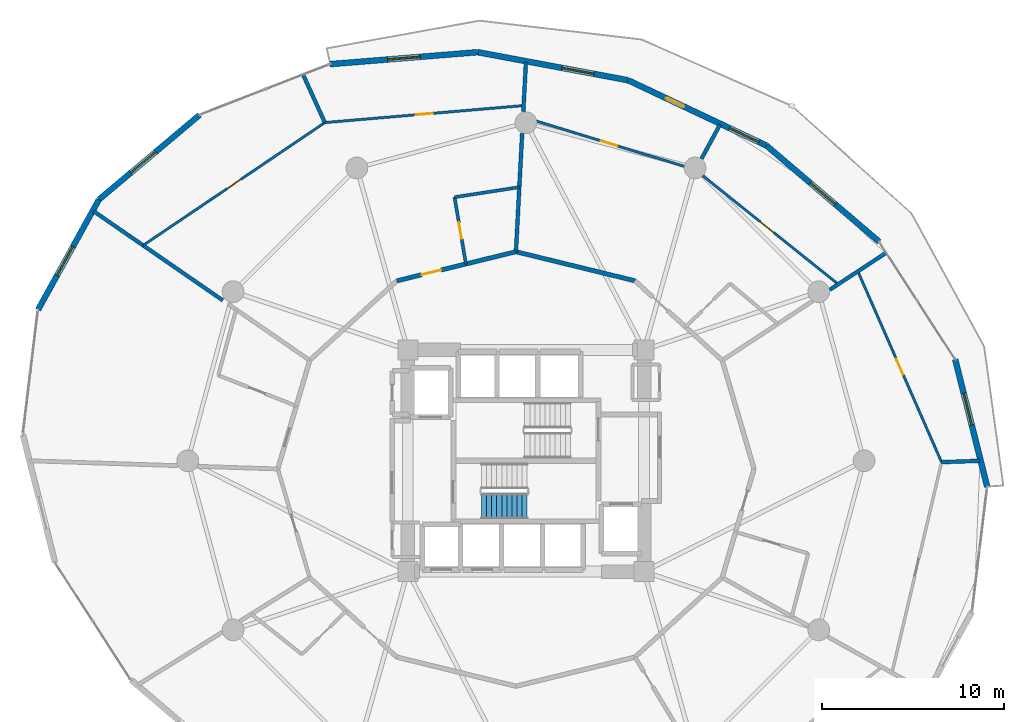
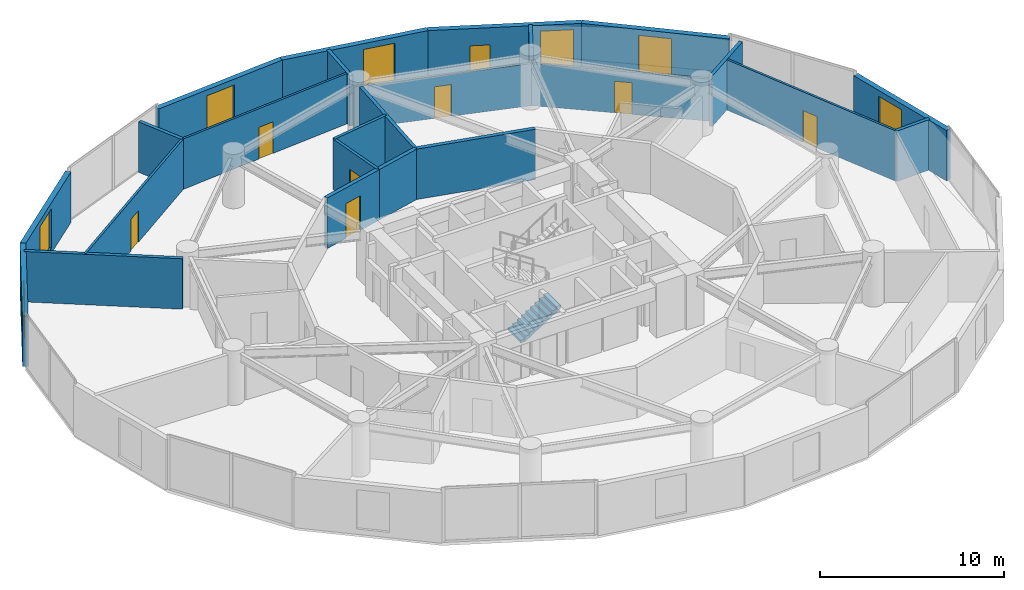
# One storey, part 23 of 26: 24 walls, 8 doors, 7 windows, 1 stair flight, 15 openings, 1 element without a shape of its own.
"""IFC4 building model written with IfcOpenShell, lengths in metres."""

from ifc_helpers import new_model, si_unit, direction, frame, frame_2d, origin, place, context, subcontext, project, spatial, polyline, rectangle, outline, extrude, material, layer, layer_set, type_object, element, fill, aggregate, save


model = new_model("IFC4")

# Units and contexts
model_context = context("Model", 3, precision=1e-05, world=origin(), true_north=direction((0.0, 1.0)))
body_context = subcontext(model_context, "Body", "Model", "MODEL_VIEW")
ifc_project = project(units=[si_unit("LENGTHUNIT", "METRE"), si_unit("AREAUNIT", "SQUARE_METRE"), si_unit("VOLUMEUNIT", "CUBIC_METRE"), si_unit("PLANEANGLEUNIT", "RADIAN"), si_unit("MASSUNIT", "GRAM", prefix="KILO")], contexts=[model_context])

# Site, building, storey
site_placement = place(None, origin())
site = spatial("IfcSite", under=ifc_project, at=site_placement, CompositionType="ELEMENT")
building_placement = place(site_placement, origin())
building = spatial("IfcBuilding", under=site, at=building_placement, Name="Solvirekh Grand Hotel", CompositionType="ELEMENT")
storey_placement = place(building_placement, frame((0.0, 0.0, 68.0)))
storey = spatial("IfcBuildingStorey", under=building, at=storey_placement, Name="L16", CompositionType="ELEMENT", Elevation=68.0)

# Wall, opening, window
ifc_material_1 = material(Name="Precast concrete C45/55", Category="concrete")
ifc_layer_1 = layer(ifc_material_1, 0.320068359375)
ifc_layer_set_1 = layer_set([ifc_layer_1], Name="Precast concrete C45/55")
wall_type_1 = type_object("IfcWallType", Name="ExtLobbyWall_RC320", PredefinedType="SOLIDWALL", material=ifc_layer_set_1)
wall_1_placement = place(storey_placement, frame((23.613037109375, 5.5830078125, 0.0), z_axis=(0.0, 0.0, 1.0), x_axis=(0.243607685094, -0.969873855593, 0.0)))
wall_1 = element("IfcWall", 1, at=wall_1_placement, inside=storey, type_object=wall_type_1, Name="L16 exterior structural wall chord 2", PredefinedType="SOLIDWALL", context=body_context, shape_type="SweptSolid", body=[
    extrude(rectangle(XDim=7.23291015625, YDim=0.320068359375, at=frame_2d((3.616455078125, 0.0))), origin(), (0.0, 0.0, 1.0), 3.340087890625),
])
opening_1_placement = place(wall_1_placement, frame((1.923095703125, 0.0, 0.35009765625)))
opening_1 = element("IfcOpeningElement", 2, at=opening_1_placement, cuts=wall_1, Name="Opening W02", PredefinedType="OPENING", context=body_context, shape_type="SweptSolid", body=[
    extrude(rectangle(XDim=1.800048828125, YDim=2.60009765625, at=frame_2d((0.89990234375, 1.300048828125))), frame((0.0, 0.169921875, 0.0), z_axis=(0.0, -1.0, 0.0), x_axis=(1.0, 0.0, 0.0)), (0.0, 0.0, 1.0), 0.340087890625),
])
ifc_material_2 = material(Name="Low-E Tinted Bronze Laminated Glass", Category="aluminium")
window_type = type_object("IfcWindowType", Name="Win_LobbyExt_1800X2600", PartitioningType="SINGLE_PANEL", PredefinedType="WINDOW", material=ifc_material_2)
window_1_placement = place(opening_1_placement, origin())
window_1 = element("IfcWindow", 3, at=window_1_placement, inside=storey, type_object=window_type, Name="L16 panoramic bronze-framed window 2", OverallHeight=2.60009765625, OverallWidth=1.800048828125, PartitioningType="SINGLE_PANEL", PredefinedType="WINDOW", context=body_context, shape_type="SweptSolid", body=[
    extrude(rectangle(XDim=1.800048828125, YDim=2.60009765625, at=frame_2d((0.89990234375, 1.300048828125))), frame((0.0, 0.030029296875, 0.0), z_axis=(0.0, -1.0, 0.0), x_axis=(1.0, 0.0, 0.0)), (0.0, 0.0, 1.0), 0.06005859375),
])
fill(opening_1, window_1)

wall_2_placement = place(storey_placement, frame((13.22705078125, 17.341064453125, 0.0), z_axis=(0.0, 0.0, 1.0), x_axis=(0.76078130933, -0.649008319958, 0.0)))
wall_2 = element("IfcWall", 4, at=wall_2_placement, inside=storey, type_object=wall_type_1, Name="L16 exterior structural wall chord 4", PredefinedType="SOLIDWALL", context=body_context, shape_type="SweptSolid", body=[
    extrude(rectangle(XDim=8.1494140625, YDim=0.320068359375, at=frame_2d((4.07470703125, 0.0))), origin(), (0.0, 0.0, 1.0), 3.340087890625),
])
opening_2_placement = place(wall_2_placement, frame((3.175048828125, 0.0, 0.35009765625)))
opening_2 = element("IfcOpeningElement", 5, at=opening_2_placement, cuts=wall_2, Name="Opening W02", PredefinedType="OPENING", context=body_context, shape_type="SweptSolid", body=[
    extrude(rectangle(XDim=1.800048828125, YDim=2.60009765625, at=frame_2d((0.89990234375, 1.300048828125))), frame((0.0, 0.169921875, 0.0), z_axis=(0.0, -1.0, 0.0), x_axis=(1.0, 0.0, 0.0)), (0.0, 0.0, 1.0), 0.340087890625),
])
window_2_placement = place(opening_2_placement, origin())
window_2 = element("IfcWindow", 6, at=window_2_placement, inside=storey, type_object=window_type, Name="L16 panoramic bronze-framed window 4", OverallHeight=2.60009765625, OverallWidth=1.800048828125, PartitioningType="SINGLE_PANEL", PredefinedType="WINDOW", context=body_context, shape_type="SweptSolid", body=[
    extrude(rectangle(XDim=1.800048828125, YDim=2.60009765625, at=frame_2d((0.89990234375, 1.300048828125))), frame((0.0, 0.030029296875, 0.0), z_axis=(0.0, -1.0, 0.0), x_axis=(1.0, 0.0, 0.0)), (0.0, 0.0, 1.0), 0.06005859375),
])
fill(opening_2, window_2)

# Wall, openings, door, window
wall_3_placement = place(storey_placement, frame((5.618896484375, 20.93310546875, 0.0), z_axis=(0.0, 0.0, 1.0), x_axis=(0.904280701051, -0.426938419105, 0.0)))
wall_3 = element("IfcWall", 7, at=wall_3_placement, inside=storey, type_object=wall_type_1, Name="L16 exterior structural wall chord 5", PredefinedType="SOLIDWALL", context=body_context, shape_type="SweptSolid", body=[
    extrude(rectangle(XDim=8.41357421875, YDim=0.320068359375, at=frame_2d((4.206787109375, 0.0))), origin(), (0.0, 0.0, 1.0), 3.340087890625),
])
opening_3_placement = place(wall_3_placement, frame((6.1650390625, 0.0, 0.35009765625)))
opening_3 = element("IfcOpeningElement", 8, at=opening_3_placement, cuts=wall_3, Name="Opening W02", PredefinedType="OPENING", context=body_context, shape_type="SweptSolid", body=[
    extrude(rectangle(XDim=1.800048828125, YDim=2.60009765625, at=frame_2d((0.89990234375, 1.300048828125))), frame((0.0, 0.169921875, 0.0), z_axis=(0.0, -1.0, 0.0), x_axis=(1.0, 0.0, 0.0)), (0.0, 0.0, 1.0), 0.340087890625),
])
opening_4_placement = place(wall_3_placement, frame((2.30810546875, 0.0, 0.0)))
opening_4 = element("IfcOpeningElement", 9, at=opening_4_placement, cuts=wall_3, Name="Opening D03", PredefinedType="OPENING", context=body_context, shape_type="SweptSolid", body=[
    extrude(rectangle(XDim=1.10009765625, YDim=2.199951171875, at=frame_2d((0.550048828125, 1.10009765625))), frame((0.0, 0.169921875, 0.0), z_axis=(0.0, -1.0, 0.0), x_axis=(1.0, 0.0, 0.0)), (0.0, 0.0, 1.0), 0.340087890625),
])
ifc_material_3 = material(Name="Anodized Bronze Aluminium 6063-T6", Category="aluminium")
door_type_1 = type_object("IfcDoorType", Name="Door_ExtBalcony_1100X2200", OperationType="NOTDEFINED", PredefinedType="DOOR", material=ifc_material_3)
door_1_placement = place(opening_4_placement, origin())
door_1 = element("IfcDoor", 10, at=door_1_placement, inside=storey, type_object=door_type_1, Name="L16 Crescent balcony glazed door (5)", OperationType="SINGLE_SWING_RIGHT", OverallHeight=2.199951171875, OverallWidth=1.10009765625, PredefinedType="DOOR", context=body_context, shape_type="SweptSolid", body=[
    extrude(rectangle(XDim=1.10009765625, YDim=2.199951171875, at=frame_2d((0.550048828125, 1.10009765625))), frame((0.0, 0.02490234375, 0.0), z_axis=(0.0, -1.0, 0.0), x_axis=(1.0, 0.0, 0.0)), (0.0, 0.0, 1.0), 0.050048828125),
])
fill(opening_4, door_1)
window_3_placement = place(opening_3_placement, origin())
window_3 = element("IfcWindow", 11, at=window_3_placement, inside=storey, type_object=window_type, Name="L16 exterior side window 5", OverallHeight=2.60009765625, OverallWidth=1.800048828125, PartitioningType="SINGLE_PANEL", PredefinedType="WINDOW", context=body_context, shape_type="SweptSolid", body=[
    extrude(rectangle(XDim=1.800048828125, YDim=2.60009765625, at=frame_2d((0.89990234375, 1.300048828125))), frame((0.0, 0.030029296875, 0.0), z_axis=(0.0, -1.0, 0.0), x_axis=(1.0, 0.0, 0.0)), (0.0, 0.0, 1.0), 0.06005859375),
])
fill(opening_3, window_3)

# Wall, opening, window
wall_4_placement = place(storey_placement, frame((-2.65087890625, 22.47509765625, 0.0), z_axis=(0.0, 0.0, 1.0), x_axis=(0.983056664979, -0.183301918815, 0.0)))
wall_4 = element("IfcWall", 12, at=wall_4_placement, inside=storey, type_object=wall_type_1, Name="L16 exterior structural wall chord 6", PredefinedType="SOLIDWALL", context=body_context, shape_type="SweptSolid", body=[
    extrude(rectangle(XDim=8.412353515625, YDim=0.320068359375, at=frame_2d((4.2060546875, 0.0))), origin(), (0.0, 0.0, 1.0), 3.340087890625),
])
opening_5_placement = place(wall_4_placement, frame((4.7080078125, 0.0, 0.35009765625)))
opening_5 = element("IfcOpeningElement", 13, at=opening_5_placement, cuts=wall_4, Name="Opening W02", PredefinedType="OPENING", context=body_context, shape_type="SweptSolid", body=[
    extrude(rectangle(XDim=1.800048828125, YDim=2.60009765625, at=frame_2d((0.89990234375, 1.300048828125))), frame((0.0, 0.169921875, 0.0), z_axis=(0.0, -1.0, 0.0), x_axis=(1.0, 0.0, 0.0)), (0.0, 0.0, 1.0), 0.340087890625),
])
window_4_placement = place(opening_5_placement, origin())
window_4 = element("IfcWindow", 14, at=window_4_placement, inside=storey, type_object=window_type, Name="L16 panoramic bronze-framed window 6", OverallHeight=2.60009765625, OverallWidth=1.800048828125, PartitioningType="SINGLE_PANEL", PredefinedType="WINDOW", context=body_context, shape_type="SweptSolid", body=[
    extrude(rectangle(XDim=1.800048828125, YDim=2.60009765625, at=frame_2d((0.89990234375, 1.300048828125))), frame((0.0, 0.030029296875, 0.0), z_axis=(0.0, -1.0, 0.0), x_axis=(1.0, 0.0, 0.0)), (0.0, 0.0, 1.0), 0.06005859375),
])
fill(opening_5, window_4)

wall_5_placement = place(storey_placement, frame((-10.77392578125, 21.818115234375, 0.0), z_axis=(0.0, 0.0, 1.0), x_axis=(0.996745267641, 0.08061557812, 0.0)))
wall_5 = element("IfcWall", 15, at=wall_5_placement, inside=storey, type_object=wall_type_1, Name="L16 exterior structural wall chord 7", PredefinedType="SOLIDWALL", context=body_context, shape_type="SweptSolid", body=[
    extrude(rectangle(XDim=8.149658203125, YDim=0.320068359375, at=frame_2d((4.07470703125, 0.0))), origin(), (0.0, 0.0, 1.0), 3.340087890625),
])
opening_6_placement = place(wall_5_placement, frame((3.175048828125, 0.0, 0.35009765625)))
opening_6 = element("IfcOpeningElement", 16, at=opening_6_placement, cuts=wall_5, Name="Opening W02", PredefinedType="OPENING", context=body_context, shape_type="SweptSolid", body=[
    extrude(rectangle(XDim=1.800048828125, YDim=2.60009765625, at=frame_2d((0.89990234375, 1.300048828125))), frame((0.0, 0.169921875, 0.0), z_axis=(0.0, -1.0, 0.0), x_axis=(1.0, 0.0, 0.0)), (0.0, 0.0, 1.0), 0.340087890625),
])
window_5_placement = place(opening_6_placement, origin())
window_5 = element("IfcWindow", 17, at=window_5_placement, inside=storey, type_object=window_type, Name="L16 panoramic bronze-framed window 7", OverallHeight=2.60009765625, OverallWidth=1.800048828125, PartitioningType="SINGLE_PANEL", PredefinedType="WINDOW", context=body_context, shape_type="SweptSolid", body=[
    extrude(rectangle(XDim=1.800048828125, YDim=2.60009765625, at=frame_2d((0.89990234375, 1.300048828125))), frame((0.0, 0.030029296875, 0.0), z_axis=(0.0, -1.0, 0.0), x_axis=(1.0, 0.0, 0.0)), (0.0, 0.0, 1.0), 0.06005859375),
])
fill(opening_6, window_5)

wall_6_placement = place(storey_placement, frame((-23.490966796875, 14.3701171875, 0.0), z_axis=(0.0, 0.0, 1.0), x_axis=(0.765388915414, 0.643568029164, 0.0)))
wall_6 = element("IfcWall", 18, at=wall_6_placement, inside=storey, type_object=wall_type_1, Name="L16 exterior structural wall chord 9", PredefinedType="SOLIDWALL", context=body_context, shape_type="SweptSolid", body=[
    extrude(rectangle(XDim=7.232666015625, YDim=0.320068359375, at=frame_2d((3.6162109375, 0.0))), origin(), (0.0, 0.0, 1.0), 3.340087890625),
])
opening_7_placement = place(wall_6_placement, frame((2.2890625, 0.0, 0.35009765625)))
opening_7 = element("IfcOpeningElement", 19, at=opening_7_placement, cuts=wall_6, Name="Opening W02", PredefinedType="OPENING", context=body_context, shape_type="SweptSolid", body=[
    extrude(rectangle(XDim=1.800048828125, YDim=2.60009765625, at=frame_2d((0.89990234375, 1.300048828125))), frame((0.0, 0.169921875, 0.0), z_axis=(0.0, -1.0, 0.0), x_axis=(1.0, 0.0, 0.0)), (0.0, 0.0, 1.0), 0.340087890625),
])
window_6_placement = place(opening_7_placement, origin())
window_6 = element("IfcWindow", 20, at=window_6_placement, inside=storey, type_object=window_type, Name="L16 panoramic bronze-framed window 9", OverallHeight=2.60009765625, OverallWidth=1.800048828125, PartitioningType="SINGLE_PANEL", PredefinedType="WINDOW", context=body_context, shape_type="SweptSolid", body=[
    extrude(rectangle(XDim=1.800048828125, YDim=2.60009765625, at=frame_2d((0.89990234375, 1.300048828125))), frame((0.0, 0.030029296875, 0.0), z_axis=(0.0, -1.0, 0.0), x_axis=(1.0, 0.0, 0.0)), (0.0, 0.0, 1.0), 0.06005859375),
])
fill(opening_7, window_6)

wall_7_placement = place(storey_placement, frame((-26.840087890625, 8.30810546875, 0.0), z_axis=(0.0, 0.0, 1.0), x_axis=(0.483582354317, 0.875298867013, 0.0)))
wall_7 = element("IfcWall", 21, at=wall_7_placement, inside=storey, type_object=wall_type_1, Name="L16 exterior structural wall chord 10", PredefinedType="SOLIDWALL", context=body_context, shape_type="SweptSolid", body=[
    extrude(rectangle(XDim=6.925537109375, YDim=0.320068359375, at=frame_2d((3.462890625, 0.0))), origin(), (0.0, 0.0, 1.0), 3.340087890625),
])
opening_8_placement = place(wall_7_placement, frame((2.1630859375, 0.0, 0.35009765625)))
opening_8 = element("IfcOpeningElement", 22, at=opening_8_placement, cuts=wall_7, Name="Opening W02", PredefinedType="OPENING", context=body_context, shape_type="SweptSolid", body=[
    extrude(rectangle(XDim=1.800048828125, YDim=2.60009765625, at=frame_2d((0.89990234375, 1.300048828125))), frame((0.0, 0.169921875, 0.0), z_axis=(0.0, -1.0, 0.0), x_axis=(1.0, 0.0, 0.0)), (0.0, 0.0, 1.0), 0.340087890625),
])
window_7_placement = place(opening_8_placement, origin())
window_7 = element("IfcWindow", 23, at=window_7_placement, inside=storey, type_object=window_type, Name="L16 panoramic bronze-framed window 10", OverallHeight=2.60009765625, OverallWidth=1.800048828125, PartitioningType="SINGLE_PANEL", PredefinedType="WINDOW", context=body_context, shape_type="SweptSolid", body=[
    extrude(rectangle(XDim=1.800048828125, YDim=2.60009765625, at=frame_2d((0.89990234375, 1.300048828125))), frame((0.0, 0.030029296875, 0.0), z_axis=(0.0, -1.0, 0.0), x_axis=(1.0, 0.0, 0.0)), (0.0, 0.0, 1.0), 0.06005859375),
])
fill(opening_8, window_7)

# Walls
ifc_material_4 = material(Name="Acoustic Gypsum Partition Assembly")
ifc_layer_2 = layer(ifc_material_4, 0.239990234375)
ifc_layer_set_2 = layer_set([ifc_layer_2], Name="Acoustic Gypsum Partition Assembly")
wall_type_2 = type_object("IfcWallType", Name="Part_Corridor_240", PredefinedType="PARTITIONING", material=ifc_layer_set_2)
wall_8_placement = place(storey_placement, frame((6.0, 9.89892578125, 0.0), z_axis=(0.0, 0.0, 1.0), x_axis=(-0.971400676792, 0.237446257348, 0.0)))
element("IfcWall", 24, at=wall_8_placement, inside=storey, type_object=wall_type_2, Name="L16 Executive Suite 1803 Living Room corridor wall 1", PredefinedType="PARTITIONING", context=body_context, shape_type="SweptSolid", body=[
    extrude(rectangle(XDim=6.742919921875, YDim=0.239990234375, at=frame_2d((3.37158203125, 0.0))), origin(), (0.0, 0.0, 1.0), 3.340087890625),
])
wall_9_placement = place(storey_placement, frame((-0.550048828125, 11.5, 0.0), z_axis=(0.0, 0.0, 1.0), x_axis=(-0.971426839663, -0.237339198579, 0.0)))
element("IfcWall", 25, at=wall_9_placement, inside=storey, type_object=wall_type_2, Name="L16 En-suite Bathroom 1804 corridor backing wall", PredefinedType="PARTITIONING", context=body_context, shape_type="SweptSolid", body=[
    extrude(rectangle(XDim=2.831787109375, YDim=0.239990234375, at=frame_2d((1.416015625, 0.0))), origin(), (0.0, 0.0, 1.0), 3.340087890625),
])

# Wall, opening, door
wall_10_placement = place(storey_placement, frame((-3.301025390625, 10.827880859375, 0.0), z_axis=(0.0, 0.0, 1.0), x_axis=(-0.971381725301, -0.237523775128, 0.0)))
wall_10 = element("IfcWall", 26, at=wall_10_placement, inside=storey, type_object=wall_type_2, Name="L16 Executive Suite 1804 Living Room entrance wall", PredefinedType="PARTITIONING", context=body_context, shape_type="SweptSolid", body=[
    extrude(rectangle(XDim=3.910888671875, YDim=0.239990234375, at=frame_2d((1.95556640625, 0.0))), origin(), (0.0, 0.0, 1.0), 3.340087890625),
])
opening_9_placement = place(wall_10_placement, frame((1.405029296875, 0.0, 0.0)))
opening_9 = element("IfcOpeningElement", 27, at=opening_9_placement, cuts=wall_10, Name="Opening D08", PredefinedType="OPENING", context=body_context, shape_type="SweptSolid", body=[
    extrude(rectangle(XDim=1.10009765625, YDim=2.300048828125, at=frame_2d((0.550048828125, 1.14990234375))), frame((0.0, 0.1298828125, 0.0), z_axis=(0.0, -1.0, 0.0), x_axis=(1.0, 0.0, 0.0)), (0.0, 0.0, 1.0), 0.260009765625),
])
ifc_material_5 = material(Name="Fire-Rated Steel Door Assembly", Category="steel")
door_type_2 = type_object("IfcDoorType", Name="Door_SuiteEntry_1100X2300", OperationType="NOTDEFINED", PredefinedType="DOOR", material=ifc_material_5)
door_2_placement = place(opening_9_placement, origin())
door_2 = element("IfcDoor", 28, at=door_2_placement, inside=storey, type_object=door_type_2, Name="L16 Executive Suite 1804 Living Room entrance door", OperationType="SINGLE_SWING_RIGHT", OverallHeight=2.300048828125, OverallWidth=1.10009765625, PredefinedType="DOOR", context=body_context, shape_type="SweptSolid", body=[
    extrude(rectangle(XDim=1.10009765625, YDim=2.300048828125, at=frame_2d((0.550048828125, 1.14990234375))), frame((0.0, 0.02490234375, 0.0), z_axis=(0.0, -1.0, 0.0), x_axis=(1.0, 0.0, 0.0)), (0.0, 0.0, 1.0), 0.050048828125),
])
fill(opening_9, door_2)

ifc_layer_3 = layer(ifc_material_4, 0.135009765625)
ifc_layer_set_3 = layer_set([ifc_layer_3], Name="Acoustic Gypsum Partition Assembly")
wall_type_3 = type_object("IfcWallType", Name="Part_RoomInt_135", PredefinedType="PARTITIONING", material=ifc_layer_set_3)
wall_11_placement = place(storey_placement, frame((22.863037109375, -0.076904296875, 0.0), z_axis=(0.0, 0.0, 1.0), x_axis=(-0.401711318502, 0.915766354802, 0.0)))
wall_11 = element("IfcWall", 29, at=wall_11_placement, inside=storey, type_object=wall_type_3, Name="L16 Executive Suite 1802 Panorama Suite Study bedroom screen wall", PredefinedType="PARTITIONING", context=body_context, shape_type="SweptSolid", body=[
    extrude(rectangle(XDim=11.46337890625, YDim=0.135009765625, at=frame_2d((5.731689453125, 0.0))), origin(), (0.0, 0.0, 1.0), 3.340087890625),
])
opening_10_placement = place(wall_11_placement, frame((5.257080078125, 0.0, 0.0)))
opening_10 = element("IfcOpeningElement", 30, at=opening_10_placement, cuts=wall_11, Name="Opening D10", PredefinedType="OPENING", context=body_context, shape_type="SweptSolid", body=[
    extrude(rectangle(XDim=0.949951171875, YDim=2.10009765625, at=frame_2d((0.47509765625, 1.050048828125))), frame((0.0, 0.07763671875, 0.0), z_axis=(0.0, -1.0, 0.0), x_axis=(1.0, 0.0, 0.0)), (0.0, 0.0, 1.0), 0.155029296875),
])
door_type_3 = type_object("IfcDoorType", Name="Door_RoomInt_950X2100", OperationType="NOTDEFINED", PredefinedType="DOOR", material=ifc_material_3)
door_3_placement = place(opening_10_placement, origin())
door_3 = element("IfcDoor", 31, at=door_3_placement, inside=storey, type_object=door_type_3, Name="L16 Executive Suite 1802 Panorama Suite Study master bedroom door", OperationType="SINGLE_SWING_RIGHT", OverallHeight=2.10009765625, OverallWidth=0.949951171875, PredefinedType="DOOR", context=body_context, shape_type="SweptSolid", body=[
    extrude(rectangle(XDim=0.949951171875, YDim=2.10009765625, at=frame_2d((0.47509765625, 1.050048828125))), frame((0.0, 0.02490234375, 0.0), z_axis=(0.0, -1.0, 0.0), x_axis=(1.0, 0.0, 0.0)), (0.0, 0.0, 1.0), 0.050048828125),
])
fill(opening_10, door_3)

wall_12_placement = place(storey_placement, frame((17.178955078125, 9.712890625, 0.0), z_axis=(0.0, 0.0, 1.0), x_axis=(-0.780480528916, 0.625180089241, 0.0)))
wall_12 = element("IfcWall", 32, at=wall_12_placement, inside=storey, type_object=wall_type_3, Name="L16 Executive Suite 1803 Living Room bedroom screen wall", PredefinedType="PARTITIONING", context=body_context, shape_type="SweptSolid", body=[
    extrude(rectangle(XDim=10.064208984375, YDim=0.135009765625, at=frame_2d((5.0322265625, 0.0))), origin(), (0.0, 0.0, 1.0), 2.79296875),
])
opening_11_placement = place(wall_12_placement, frame((4.556884765625, 0.0, 0.0)))
opening_11 = element("IfcOpeningElement", 33, at=opening_11_placement, cuts=wall_12, Name="Opening D10", PredefinedType="OPENING", context=body_context, shape_type="SweptSolid", body=[
    extrude(rectangle(XDim=0.949951171875, YDim=2.10009765625, at=frame_2d((0.47509765625, 1.050048828125))), frame((0.0, 0.07763671875, 0.0), z_axis=(0.0, -1.0, 0.0), x_axis=(1.0, 0.0, 0.0)), (0.0, 0.0, 1.0), 0.155029296875),
])
door_4_placement = place(opening_11_placement, origin())
door_4 = element("IfcDoor", 34, at=door_4_placement, inside=storey, type_object=door_type_3, Name="L16 Executive Suite 1803 Living Room master bedroom door", OperationType="SINGLE_SWING_LEFT", OverallHeight=2.10009765625, OverallWidth=0.949951171875, PredefinedType="DOOR", context=body_context, shape_type="SweptSolid", body=[
    extrude(rectangle(XDim=0.949951171875, YDim=2.10009765625, at=frame_2d((0.47509765625, 1.050048828125))), frame((0.0, 0.02490234375, 0.0), z_axis=(0.0, -1.0, 0.0), x_axis=(1.0, 0.0, 0.0)), (0.0, 0.0, 1.0), 0.050048828125),
])
fill(opening_11, door_4)

wall_13_placement = place(storey_placement, frame((9.323974609375, 16.0048828125, 0.0), z_axis=(0.0, 0.0, 1.0), x_axis=(-0.956059543069, 0.29317256029, 0.0)))
wall_13 = element("IfcWall", 35, at=wall_13_placement, inside=storey, type_object=wall_type_3, Name="L16 Executive Suite 1803 Panorama Suite Study bedroom screen wall", PredefinedType="PARTITIONING", context=body_context, shape_type="SweptSolid", body=[
    extrude(rectangle(XDim=9.919677734375, YDim=0.135009765625, at=frame_2d((4.9599609375, 0.0))), origin(), (0.0, 0.0, 1.0), 2.79296875),
])
opening_12_placement = place(wall_13_placement, frame((4.485107421875, 0.0, 0.0)))
opening_12 = element("IfcOpeningElement", 36, at=opening_12_placement, cuts=wall_13, Name="Opening D10", PredefinedType="OPENING", context=body_context, shape_type="SweptSolid", body=[
    extrude(rectangle(XDim=0.949951171875, YDim=2.10009765625, at=frame_2d((0.47509765625, 1.050048828125))), frame((0.0, 0.07763671875, 0.0), z_axis=(0.0, -1.0, 0.0), x_axis=(1.0, 0.0, 0.0)), (0.0, 0.0, 1.0), 0.155029296875),
])
door_5_placement = place(opening_12_placement, origin())
door_5 = element("IfcDoor", 37, at=door_5_placement, inside=storey, type_object=door_type_3, Name="L16 Executive Suite 1803 Panorama Suite Study master bedroom door", OperationType="SINGLE_SWING_RIGHT", OverallHeight=2.10009765625, OverallWidth=0.949951171875, PredefinedType="DOOR", context=body_context, shape_type="SweptSolid", body=[
    extrude(rectangle(XDim=0.949951171875, YDim=2.10009765625, at=frame_2d((0.47509765625, 1.050048828125))), frame((0.0, 0.02490234375, 0.0), z_axis=(0.0, -1.0, 0.0), x_axis=(1.0, 0.0, 0.0)), (0.0, 0.0, 1.0), 0.050048828125),
])
fill(opening_12, door_5)

wall_14_placement = place(storey_placement, frame((-0.126953125, 19.5400390625, 0.0), z_axis=(0.0, 0.0, 1.0), x_axis=(-0.996354434544, -0.085310261781, 0.0)))
wall_14 = element("IfcWall", 38, at=wall_14_placement, inside=storey, type_object=wall_type_3, Name="L16 Executive Suite 1804 Living Room bedroom screen wall", PredefinedType="PARTITIONING", context=body_context, shape_type="SweptSolid", body=[
    extrude(rectangle(XDim=10.97216796875, YDim=0.135009765625, at=frame_2d((5.486083984375, 0.0))), origin(), (0.0, 0.0, 1.0), 3.340087890625),
])
opening_13_placement = place(wall_14_placement, frame((5.010986328125, 0.0, 0.0)))
opening_13 = element("IfcOpeningElement", 39, at=opening_13_placement, cuts=wall_14, Name="Opening D10", PredefinedType="OPENING", context=body_context, shape_type="SweptSolid", body=[
    extrude(rectangle(XDim=0.949951171875, YDim=2.10009765625, at=frame_2d((0.47509765625, 1.050048828125))), frame((0.0, 0.07763671875, 0.0), z_axis=(0.0, -1.0, 0.0), x_axis=(1.0, 0.0, 0.0)), (0.0, 0.0, 1.0), 0.155029296875),
])
door_6_placement = place(opening_13_placement, origin())
door_6 = element("IfcDoor", 40, at=door_6_placement, inside=storey, type_object=door_type_3, Name="L16 Executive Suite 1804 Living Room master bedroom door", OperationType="SINGLE_SWING_LEFT", OverallHeight=2.10009765625, OverallWidth=0.949951171875, PredefinedType="DOOR", context=body_context, shape_type="SweptSolid", body=[
    extrude(rectangle(XDim=0.949951171875, YDim=2.10009765625, at=frame_2d((0.47509765625, 1.050048828125))), frame((0.0, 0.02490234375, 0.0), z_axis=(0.0, -1.0, 0.0), x_axis=(1.0, 0.0, 0.0)), (0.0, 0.0, 1.0), 0.050048828125),
])
fill(opening_13, door_6)

wall_15_placement = place(storey_placement, frame((-11.05908203125, 18.60400390625, 0.0), z_axis=(0.0, 0.0, 1.0), x_axis=(-0.828635640213, -0.559788331219, 0.0)))
wall_15 = element("IfcWall", 41, at=wall_15_placement, inside=storey, type_object=wall_type_3, Name="L16 Executive Suite 1804 Panorama Suite Study bedroom screen wall", PredefinedType="PARTITIONING", context=body_context, shape_type="SweptSolid", body=[
    extrude(rectangle(XDim=12.06689453125, YDim=0.135009765625, at=frame_2d((6.033447265625, 0.0))), origin(), (0.0, 0.0, 1.0), 3.340087890625),
])
opening_14_placement = place(wall_15_placement, frame((5.55810546875, 0.0, 0.0)))
opening_14 = element("IfcOpeningElement", 42, at=opening_14_placement, cuts=wall_15, Name="Opening D10", PredefinedType="OPENING", context=body_context, shape_type="SweptSolid", body=[
    extrude(rectangle(XDim=0.949951171875, YDim=2.10009765625, at=frame_2d((0.47509765625, 1.050048828125))), frame((0.0, 0.07763671875, 0.0), z_axis=(0.0, -1.0, 0.0), x_axis=(1.0, 0.0, 0.0)), (0.0, 0.0, 1.0), 0.155029296875),
])
door_7_placement = place(opening_14_placement, origin())
door_7 = element("IfcDoor", 43, at=door_7_placement, inside=storey, type_object=door_type_3, Name="L16 Executive Suite 1804 Panorama Suite Study master bedroom door", OperationType="SINGLE_SWING_RIGHT", OverallHeight=2.10009765625, OverallWidth=0.949951171875, PredefinedType="DOOR", context=body_context, shape_type="SweptSolid", body=[
    extrude(rectangle(XDim=0.949951171875, YDim=2.10009765625, at=frame_2d((0.47509765625, 1.050048828125))), frame((0.0, 0.02490234375, 0.0), z_axis=(0.0, -1.0, 0.0), x_axis=(1.0, 0.0, 0.0)), (0.0, 0.0, 1.0), 0.050048828125),
])
fill(opening_14, door_7)

# Walls
ifc_layer_4 = layer(ifc_material_4, 0.2099609375)
ifc_layer_set_4 = layer_set([ifc_layer_4], Name="Acoustic Gypsum Partition Assembly")
wall_type_4 = type_object("IfcWallType", Name="Part_SuiteDemise_210", PredefinedType="PARTITIONING", material=ifc_layer_set_4)
wall_16_placement = place(storey_placement, frame((16.718017578125, 9.410888671875, 0.0), z_axis=(0.0, 0.0, 1.0), x_axis=(0.836061262726, 0.548636095212, 0.0)))
element("IfcWall", 44, at=wall_16_placement, inside=storey, type_object=wall_type_4, Name="L16 suite radial wall 2 (B)", PredefinedType="PARTITIONING", context=body_context, shape_type="SweptSolid", body=[
    extrude(rectangle(XDim=3.66943359375, YDim=0.2099609375, at=frame_2d((1.834716796875, 0.0))), origin(), (0.0, 0.0, 1.0), 3.340087890625),
])
wall_17_placement = place(storey_placement, frame((-0.550048828125, 11.5, 0.0), z_axis=(0.0, 0.0, 1.0), x_axis=(0.052578474705, 0.998616795371, 0.0)))
element("IfcWall", 45, at=wall_17_placement, inside=storey, type_object=wall_type_4, Name="L16 suite radial wall 4 (A)", PredefinedType="PARTITIONING", context=body_context, shape_type="SweptSolid", body=[
    extrude(rectangle(XDim=6.52392578125, YDim=0.2099609375, at=frame_2d((3.261962890625, 0.0))), origin(), (0.0, 0.0, 1.0), 3.340087890625),
])
wall_18_placement = place(storey_placement, frame((-0.14404296875, 19.202880859375, 0.0), z_axis=(0.0, 0.0, 1.0), x_axis=(0.052535465428, 0.998619058937, 0.0)))
element("IfcWall", 46, at=wall_18_placement, inside=storey, type_object=wall_type_4, Name="L16 suite radial wall 4 (B)", PredefinedType="PARTITIONING", context=body_context, shape_type="SweptSolid", body=[
    extrude(rectangle(XDim=2.741943359375, YDim=0.2099609375, at=frame_2d((1.37109375, 0.0))), origin(), (0.0, 0.0, 1.0), 3.340087890625),
])
wall_19_placement = place(storey_placement, frame((-16.677978515625, 8.825927734375, 0.0), z_axis=(0.0, 0.0, 1.0), x_axis=(-0.823003432382, 0.568036398735, 0.0)))
element("IfcWall", 47, at=wall_19_placement, inside=storey, type_object=wall_type_4, Name="L16 suite radial wall 6 (B)", PredefinedType="PARTITIONING", context=body_context, shape_type="SweptSolid", body=[
    extrude(rectangle(XDim=8.6474609375, YDim=0.2099609375, at=frame_2d((4.32373046875, 0.0))), origin(), (0.0, 0.0, 1.0), 3.340087890625),
])
wall_20_placement = place(storey_placement, frame((22.863037109375, -0.076904296875, 0.0), z_axis=(0.0, 0.0, 1.0), x_axis=(0.999337742479, 0.03638786139, 0.0)))
element("IfcWall", 48, at=wall_20_placement, inside=storey, type_object=wall_type_4, Name="L16 Executive Suite 1802 Living Room dividing partition 1", PredefinedType="PARTITIONING", context=body_context, shape_type="SweptSolid", body=[
    extrude(rectangle(XDim=2.113525390625, YDim=0.2099609375, at=frame_2d((1.056640625, 0.0))), origin(), (0.0, 0.0, 1.0), 3.340087890625),
])
wall_21_placement = place(storey_placement, frame((9.656005859375, 16.614990234375, 0.0), z_axis=(0.0, 0.0, 1.0), x_axis=(0.477862874023, 0.878434444697, 0.0)))
element("IfcWall", 49, at=wall_21_placement, inside=storey, type_object=wall_type_4, Name="L16 Executive Suite 1803 Living Room dividing partition 1 (A)", PredefinedType="PARTITIONING", context=body_context, shape_type="SweptSolid", body=[
    extrude(rectangle(XDim=2.144775390625, YDim=0.2099609375, at=frame_2d((1.072265625, 0.0))), origin(), (0.0, 0.0, 1.0), 3.340087890625),
])
wall_22_placement = place(storey_placement, frame((-11.05908203125, 18.60400390625, 0.0), z_axis=(0.0, 0.0, 1.0), x_axis=(-0.414092695147, 0.910234716887, 0.0)))
element("IfcWall", 50, at=wall_22_placement, inside=storey, type_object=wall_type_4, Name="L16 Executive Suite 1804 Living Room dividing partition 1", PredefinedType="PARTITIONING", context=body_context, shape_type="SweptSolid", body=[
    extrude(rectangle(XDim=2.8564453125, YDim=0.2099609375, at=frame_2d((1.42822265625, 0.0))), origin(), (0.0, 0.0, 1.0), 3.340087890625),
])
ifc_layer_5 = layer(ifc_material_4, 0.175048828125)
ifc_layer_set_5 = layer_set([ifc_layer_5], Name="Acoustic Gypsum Partition Assembly")
wall_type_5 = type_object("IfcWallType", Name="Plumb_Ensuite_175", PredefinedType="PLUMBINGWALL", material=ifc_layer_set_5)
wall_23_placement = place(storey_placement, frame((-0.363037109375, 15.050048828125, 0.0), z_axis=(0.0, 0.0, 1.0), x_axis=(-0.988339584837, -0.152265771085, 0.0)))
element("IfcWall", 51, at=wall_23_placement, inside=storey, type_object=wall_type_5, Name="L16 En-suite Bathroom 1804 outer plumbing wall", PredefinedType="PLUMBINGWALL", context=body_context, shape_type="SweptSolid", body=[
    extrude(rectangle(XDim=3.60595703125, YDim=0.175048828125, at=frame_2d((1.802978515625, 0.0))), origin(), (0.0, 0.0, 1.0), 3.340087890625),
])

# Wall, opening, door
wall_24_placement = place(storey_placement, frame((-3.301025390625, 10.827880859375, 0.0), z_axis=(0.0, 0.0, 1.0), x_axis=(-0.167999861504, 0.985787018851, 0.0)))
wall_24 = element("IfcWall", 52, at=wall_24_placement, inside=storey, type_object=wall_type_5, Name="L16 En-suite Bathroom 1804 entry plumbing wall", PredefinedType="PLUMBINGWALL", context=body_context, shape_type="SweptSolid", body=[
    extrude(rectangle(XDim=3.72607421875, YDim=0.175048828125, at=frame_2d((1.863037109375, 0.0))), origin(), (0.0, 0.0, 1.0), 3.340087890625),
])
opening_15_placement = place(wall_24_placement, frame((1.4130859375, 0.0, 0.0)))
opening_15 = element("IfcOpeningElement", 53, at=opening_15_placement, cuts=wall_24, Name="Opening D09", PredefinedType="OPENING", context=body_context, shape_type="SweptSolid", body=[
    extrude(rectangle(XDim=0.89990234375, YDim=2.10009765625, at=frame_2d((0.449951171875, 1.050048828125))), frame((0.0, 0.09765625, 0.0), z_axis=(0.0, -1.0, 0.0), x_axis=(1.0, 0.0, 0.0)), (0.0, 0.0, 1.0), 0.195068359375),
])
door_type_4 = type_object("IfcDoorType", Name="Door_Ensuite_900X2100", OperationType="NOTDEFINED", PredefinedType="DOOR", material=ifc_material_3)
door_8_placement = place(opening_15_placement, origin())
door_8 = element("IfcDoor", 54, at=door_8_placement, inside=storey, type_object=door_type_4, Name="L16 En-suite Bathroom 1804 door", OperationType="SINGLE_SWING_LEFT", OverallHeight=2.10009765625, OverallWidth=0.89990234375, PredefinedType="DOOR", context=body_context, shape_type="SweptSolid", body=[
    extrude(rectangle(XDim=0.89990234375, YDim=2.10009765625, at=frame_2d((0.449951171875, 1.050048828125))), frame((0.0, 0.02490234375, 0.0), z_axis=(0.0, -1.0, 0.0), x_axis=(1.0, 0.0, 0.0)), (0.0, 0.0, 1.0), 0.050048828125),
])
fill(opening_15, door_8)

# Stair, stair flight
ifc_material_6 = material(Name="Concrete C40/50", Category="concrete")
stair_type = type_object("IfcStairType", Name="Stair_Core_1450", PredefinedType="HALF_TURN_STAIR", material=ifc_material_6)
stair_placement = place(storey_placement, origin())
stair = element("IfcStair", 55, at=stair_placement, inside=storey, type_object=stair_type, Name="L16 Enclosed exit stair ST-1", PredefinedType="HALF_TURN_STAIR")
stair_flight_type = type_object("IfcStairFlightType", Name="Flight_Core_1450", PredefinedType="STRAIGHT", material=ifc_material_6)
stair_flight_placement = place(storey_placement, frame((-2.449951171875, -2.5, 0.0), z_axis=(0.0, 0.0, 1.0), x_axis=(1.0, 0.0, 0.0)))
stair_flight = element("IfcStairFlight", 56, at=stair_flight_placement, type_object=stair_flight_type, Name="ST-1 flight 1", NumberOfRisers=10, NumberOfTreads=9, PredefinedType="STRAIGHT", RiserHeight=0.18, TreadLength=0.28, context=body_context, shape_type="SweptSolid", body=[
    extrude(outline(polyline([(0.0, 0.0), (0.0, 0.179931640625), (0.280029296875, 0.179931640625), (0.280029296875, 0.360107421875), (0.56005859375, 0.360107421875), (0.56005859375, 0.5400390625), (0.840087890625, 0.5400390625), (0.840087890625, 0.719970703125), (1.1201171875, 0.719970703125), (1.1201171875, 0.89990234375), (1.39990234375, 0.89990234375), (1.39990234375, 1.080078125), (1.679931640625, 1.080078125), (1.679931640625, 1.260009765625), (1.9599609375, 1.260009765625), (1.9599609375, 1.43994140625), (2.239990234375, 1.43994140625), (2.239990234375, 1.6201171875), (2.52001953125, 1.6201171875), (2.52001953125, 1.800048828125), (2.52001953125, 1.44189453125), (0.277099609375, 0.0), (0.0, 0.0)])), frame((0.0, 0.699951171875, 0.0), z_axis=(0.0, -1.0, 0.0), x_axis=(1.0, 0.0, 0.0)), (0.0, 0.0, 1.0), 1.39990234375),
])
aggregate(stair, [stair_flight])

save(model, "model.ifc")
